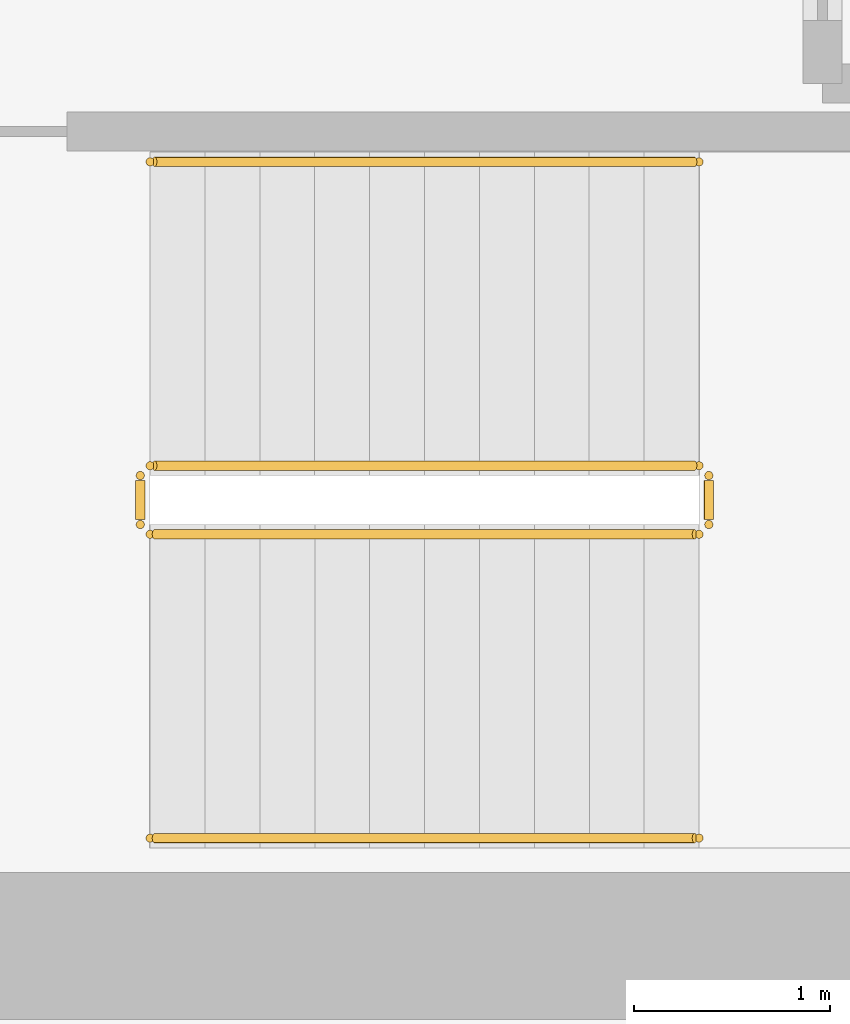
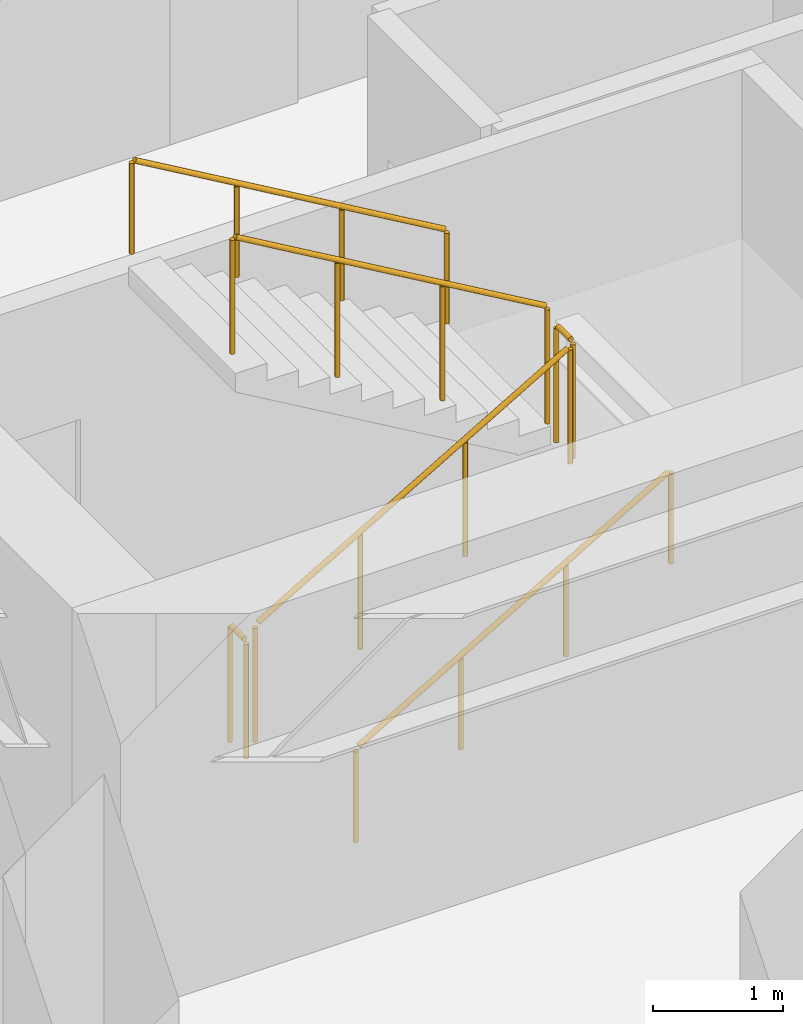
# One storey, part 14 of 14: 6 railings.
"""IFC4 building model written with IfcOpenShell, lengths in metres."""

from ifc_helpers import new_model, si_unit, direction, frame, origin, origin_2d, place, context, subcontext, project, spatial, circle, extrude, source, transform, mapped, material, layer, layer_set, type_object, element, save


model = new_model("IFC4")

# Units and contexts
model_context = context("Model", 3, precision=1e-05, world=origin(), true_north=direction((0.0, 1.0)))
body_context = subcontext(model_context, "Body", "Model", "MODEL_VIEW")
ifc_project = project(units=[si_unit("LENGTHUNIT", "METRE"), si_unit("AREAUNIT", "SQUARE_METRE"), si_unit("VOLUMEUNIT", "CUBIC_METRE"), si_unit("PLANEANGLEUNIT", "RADIAN"), si_unit("MASSUNIT", "GRAM", prefix="KILO")], contexts=[model_context])

# Site, building, storey
site_placement = place(None, origin())
site = spatial("IfcSite", under=ifc_project, at=site_placement, CompositionType="ELEMENT")
building_placement = place(site_placement, origin())
building = spatial("IfcBuilding", under=site, at=building_placement, Name="Kharzan Plaza Tower", CompositionType="ELEMENT")
storey_placement = place(building_placement, frame((0.0, 0.0, 131.39990234375)))
storey = spatial("IfcBuildingStorey", under=building, at=storey_placement, Name="L35", CompositionType="ELEMENT", Elevation=131.39990234375)

# Railings
ifc_material_1 = material(Name="Painted Galvanized Architectural Steel", Category="steel")
ifc_layer_1 = layer(ifc_material_1, 0.074951171875)
ifc_layer_set_1 = layer_set([ifc_layer_1], Name="Painted Galvanized Architectural Steel")
railing_type_1 = type_object("IfcRailingType", Name="RL-GUARD-1120", PredefinedType="BALUSTRADE", material=ifc_layer_set_1)
shared_shape_1 = source(origin(), body_context, "Body", "SweptSolid", [
    extrude(circle(Radius=0.02392578125, at=origin_2d()), frame((0.0, 0.0263671875, 1.09619140625), z_axis=(0.0, 1.0, 0.0), x_axis=(-1.0, 0.0, 0.0)), (0.0, 0.0, 1.0), 0.197021484375),
    extrude(circle(Radius=0.02099609375, at=origin_2d()), origin(), (0.0, 0.0, 1.0), 1.072021484375),
    extrude(circle(Radius=0.02099609375, at=origin_2d()), frame((0.0, 0.25, 0.0)), (0.0, 0.0, 1.0), 1.072021484375),
])
for number, where, name in (
    (1, (41.10009765625, 6.64990234375, 1.800048828125), "L35 ST-3 stair guard 2"),
    (2, (38.199951171875, 6.64990234375, 0.0), "L35 ST-3 stair guard 4"),
):
    element("IfcRailing", number, at=place(storey_placement, frame(where)), inside=storey, type_object=railing_type_1, Name=name, PredefinedType="BALUSTRADE", context=body_context, shape_type="MappedRepresentation", body=[
        mapped(shared_shape_1, transform((0.0, 0.0, 0.0), x_axis=(1.0, 0.0, 0.0), y_axis=(0.0, 1.0, 0.0), z_axis=(0.0, 0.0, 1.0))),
    ])
shared_shape_2 = source(origin(), body_context, "Body", "SweptSolid", [
    extrude(circle(Radius=0.02392578125, at=origin_2d()), frame((-0.02294921875, 0.0, 1.109375), z_axis=(-0.863360870873, 0.0, 0.504586966384), x_axis=(0.0, -1.0, 0.0)), (0.0, 0.0, 1.0), 3.190185546875),
    extrude(circle(Radius=0.02099609375, at=origin_2d()), origin(), (0.0, 0.0, 1.0), 1.072021484375),
    extrude(circle(Radius=0.02099609375, at=origin_2d()), frame((-0.933349609375, 0.0, 0.54541015625)), (0.0, 0.0, 1.0), 1.072021484375),
    extrude(circle(Radius=0.02099609375, at=origin_2d()), frame((-1.86669921875, 0.0, 1.091064453125)), (0.0, 0.0, 1.0), 1.072021484375),
    extrude(circle(Radius=0.02099609375, at=origin_2d()), frame((-2.800048828125, 0.0, 1.636474609375)), (0.0, 0.0, 1.0), 1.072021484375),
])
railing_1_placement = place(storey_placement, frame((41.050048828125, 6.949951171875, 1.963623046875)))
element("IfcRailing", 3, at=railing_1_placement, inside=storey, type_object=railing_type_1, Name="L35 ST-3 stair guard 3", PredefinedType="BALUSTRADE", context=body_context, shape_type="MappedRepresentation", body=[
    mapped(shared_shape_2, transform((0.0, 0.0, 0.0), x_axis=(1.0, 0.0, 0.0), y_axis=(0.0, 1.0, 0.0), z_axis=(0.0, 0.0, 1.0))),
])
ifc_material_2 = material(Name="Brushed Stainless Steel", Category="steel")
ifc_layer_2 = layer(ifc_material_2, 0.050048828125)
ifc_layer_set_2 = layer_set([ifc_layer_2], Name="Brushed Stainless Steel")
railing_type_2 = type_object("IfcRailingType", Name="RL-STAIR-HR920", PredefinedType="HANDRAIL", material=ifc_layer_set_2)
shared_shape_3 = source(origin(), body_context, "Body", "SweptSolid", [
    extrude(circle(Radius=0.02392578125, at=origin_2d()), frame((-0.02294921875, 0.0, 0.88916015625), z_axis=(-0.863360870873, 0.0, 0.504586966384), x_axis=(0.0, -1.0, 0.0)), (0.0, 0.0, 1.0), 3.190185546875),
    extrude(circle(Radius=0.02099609375, at=origin_2d()), origin(), (0.0, 0.0, 1.0), 0.851806640625),
    extrude(circle(Radius=0.02099609375, at=origin_2d()), frame((-0.933349609375, 0.0, 0.54541015625)), (0.0, 0.0, 1.0), 0.851806640625),
    extrude(circle(Radius=0.02099609375, at=origin_2d()), frame((-1.86669921875, 0.0, 1.091064453125)), (0.0, 0.0, 1.0), 0.851806640625),
    extrude(circle(Radius=0.02099609375, at=origin_2d()), frame((-2.800048828125, 0.0, 1.636474609375)), (0.0, 0.0, 1.0), 0.851806640625),
])
railing_2_placement = place(storey_placement, frame((41.050048828125, 8.5, 1.963623046875)))
element("IfcRailing", 4, at=railing_2_placement, inside=storey, type_object=railing_type_2, Name="L35 ST-3 stair handrail 2", PredefinedType="HANDRAIL", context=body_context, shape_type="MappedRepresentation", body=[
    mapped(shared_shape_3, transform((0.0, 0.0, 0.0), x_axis=(1.0, 0.0, 0.0), y_axis=(0.0, 1.0, 0.0), z_axis=(0.0, 0.0, 1.0))),
])
shared_shape_4 = source(origin(), body_context, "Body", "SweptSolid", [
    extrude(circle(Radius=0.02392578125, at=origin_2d()), frame((0.02294921875, 0.0, 1.109375), z_axis=(0.863393664356, 0.0, 0.504530851732), x_axis=(0.0, 1.0, 0.0)), (0.0, 0.0, 1.0), 3.190185546875),
    extrude(circle(Radius=0.02099609375, at=origin_2d()), origin(), (0.0, 0.0, 1.0), 1.072021484375),
    extrude(circle(Radius=0.02099609375, at=origin_2d()), frame((0.933349609375, 0.0, 0.54541015625)), (0.0, 0.0, 1.0), 1.072021484375),
    extrude(circle(Radius=0.02099609375, at=origin_2d()), frame((1.86669921875, 0.0, 1.0908203125)), (0.0, 0.0, 1.0), 1.072021484375),
    extrude(circle(Radius=0.02099609375, at=origin_2d()), frame((2.800048828125, 0.0, 1.63623046875)), (0.0, 0.0, 1.0), 1.072021484375),
])
railing_3_placement = place(storey_placement, frame((38.25, 6.60009765625, 0.163818359375)))
element("IfcRailing", 5, at=railing_3_placement, inside=storey, type_object=railing_type_1, Name="L35 ST-3 stair guard 1", PredefinedType="BALUSTRADE", context=body_context, shape_type="MappedRepresentation", body=[
    mapped(shared_shape_4, transform((0.0, 0.0, 0.0), x_axis=(1.0, 0.0, 0.0), y_axis=(0.0, 1.0, 0.0), z_axis=(0.0, 0.0, 1.0))),
])
shared_shape_5 = source(origin(), body_context, "Body", "SweptSolid", [
    extrude(circle(Radius=0.02392578125, at=origin_2d()), frame((0.02294921875, 0.0, 0.88916015625), z_axis=(0.863393664356, 0.0, 0.504530851732), x_axis=(0.0, 1.0, 0.0)), (0.0, 0.0, 1.0), 3.190185546875),
    extrude(circle(Radius=0.02099609375, at=origin_2d()), origin(), (0.0, 0.0, 1.0), 0.851806640625),
    extrude(circle(Radius=0.02099609375, at=origin_2d()), frame((0.933349609375, 0.0, 0.54541015625)), (0.0, 0.0, 1.0), 0.851806640625),
    extrude(circle(Radius=0.02099609375, at=origin_2d()), frame((1.86669921875, 0.0, 1.0908203125)), (0.0, 0.0, 1.0), 0.851806640625),
    extrude(circle(Radius=0.02099609375, at=origin_2d()), frame((2.800048828125, 0.0, 1.63623046875)), (0.0, 0.0, 1.0), 0.851806640625),
])
railing_4_placement = place(storey_placement, frame((38.25, 5.050048828125, 0.163818359375)))
element("IfcRailing", 6, at=railing_4_placement, inside=storey, type_object=railing_type_2, Name="L35 ST-3 stair handrail 1", PredefinedType="HANDRAIL", context=body_context, shape_type="MappedRepresentation", body=[
    mapped(shared_shape_5, transform((0.0, 0.0, 0.0), x_axis=(1.0, 0.0, 0.0), y_axis=(0.0, 1.0, 0.0), z_axis=(0.0, 0.0, 1.0))),
])

save(model, "model.ifc")
